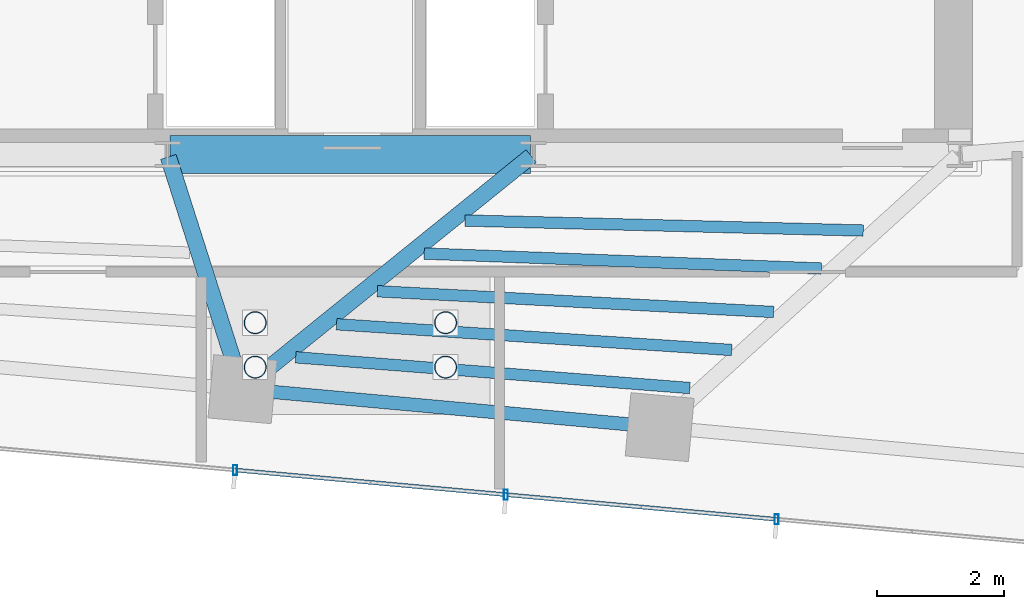
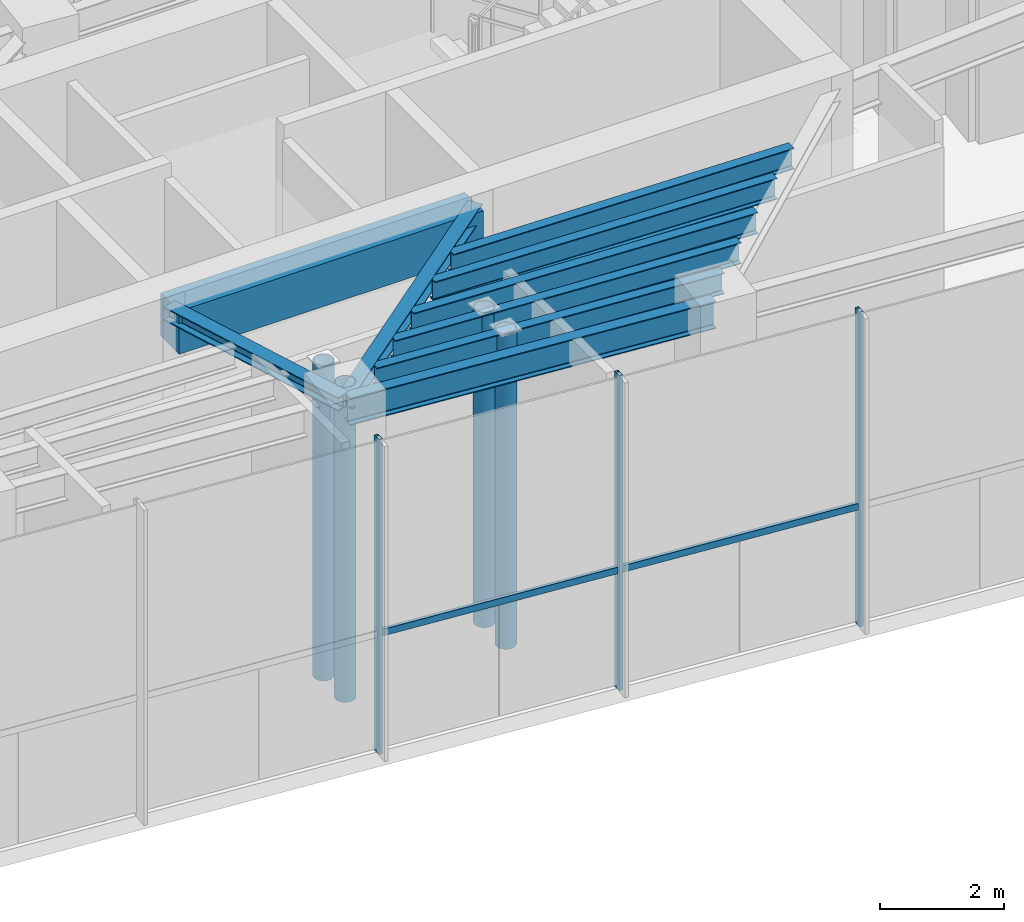
# One storey, part 6 of 14: 9 beams, 9 members, 1 element without a shape of its own.
"""IFC4 building model written with IfcOpenShell, lengths in metres."""

from ifc_helpers import new_model, si_unit, direction, frame, origin, origin_2d, place, context, subcontext, project, spatial, rectangle, hollow_rectangle, hollow_circle, i_section, extrude, source, transform, mapped, material, material_profile, profile_set, type_object, type_shapes, element, aggregate, save


model = new_model("IFC4")

# Units and contexts
model_context = context("Model", 3, precision=1e-05, world=origin(), true_north=direction((0.0, 1.0)))
body_context = subcontext(model_context, "Body", "Model", "MODEL_VIEW")
ifc_project = project(units=[si_unit("LENGTHUNIT", "METRE"), si_unit("AREAUNIT", "SQUARE_METRE"), si_unit("VOLUMEUNIT", "CUBIC_METRE"), si_unit("PLANEANGLEUNIT", "RADIAN"), si_unit("MASSUNIT", "GRAM", prefix="KILO")], contexts=[model_context])

# Site, building, storey
site_placement = place(None, origin())
site = spatial("IfcSite", under=ifc_project, at=site_placement, CompositionType="ELEMENT")
building_placement = place(site_placement, origin())
building = spatial("IfcBuilding", under=site, at=building_placement, Name="Astriad Promenade Condominiums", CompositionType="ELEMENT")
storey_placement = place(building_placement, frame((0.0, 0.0, 270.800048828125)))
storey = spatial("IfcBuildingStorey", under=building, at=storey_placement, Name="L77", CompositionType="ELEMENT", Elevation=270.800048828125)

# Beams
ifc_material_1 = material(Name="Concrete C60/75", Category="concrete")
ifc_material_profile_1 = material_profile(ifc_material_1, rectangle(XDim=0.60009765625, YDim=0.85009765625, at=origin_2d()), Name="RC-BM-600X850")
ifc_profile_set_1 = profile_set([ifc_material_profile_1], Name="Concrete C60/75")
beam_type_1 = type_object("IfcBeamType", Name="CONCRETE CORE COUPLING LINTEL 600X850", PredefinedType="LINTEL", material=ifc_profile_set_1)
shared_shape_1 = source(origin(), body_context, "Body", "SweptSolid", [
    extrude(rectangle(XDim=0.60009765625, YDim=0.85009765625, at=origin_2d()), origin(), (0.0, 0.0, 1.0), 5.68017578125),
])
type_shapes(beam_type_1, [shared_shape_1])
beam_1_placement = place(storey_placement, frame((33.159912109375, 17.39990234375, 5.794921875), z_axis=(1.0, 0.0, 0.0), x_axis=(0.0, 1.0, 0.0)))
element("IfcBeam", 1, at=beam_1_placement, inside=storey, type_object=beam_type_1, Name="Core Ring Beam CG-S2-L77", PredefinedType="LINTEL", context=body_context, shape_type="MappedRepresentation", body=[
    mapped(shared_shape_1, transform((0.0, 0.0, 0.0), scale=1.0)),
])
ifc_material_2 = material(Name="Steel ASTM A992 Grade 50", Category="steel")
ifc_material_profile_2 = material_profile(ifc_material_2, i_section(OverallWidth=0.210693359375, OverallDepth=0.53955078125, WebThickness=0.01171875, FlangeThickness=0.018798828125, FilletRadius=0.0166015625, at=origin_2d()), Name="W21X73")
ifc_profile_set_2 = profile_set([ifc_material_profile_2], Name="Steel ASTM A992 Grade 50")
beam_type_2 = type_object("IfcBeamType", Name="STEEL SPANDREL BEAM W21X73", PredefinedType="SPANDREL", material=ifc_profile_set_2)
shared_shape_2 = source(origin(), body_context, "Body", "SweptSolid", [
    extrude(i_section(OverallWidth=0.210693359375, OverallDepth=0.53955078125, WebThickness=0.01171875, FlangeThickness=0.018798828125, FilletRadius=0.0166015625, at=origin_2d()), origin(), (0.0, 0.0, 1.0), 6.52001953125),
])
type_shapes(beam_type_2, [shared_shape_2])
beam_2_placement = place(storey_placement, frame((34.339599609375, 13.69921875, 5.9501953125), z_axis=(0.995882457091, -0.090653911438, 0.0), x_axis=(0.090653911438, 0.995882457091, 0.0)))
element("IfcBeam", 2, at=beam_2_placement, inside=storey, type_object=beam_type_2, Name="Perimeter Spandrel Beam SP-S3-L77", PredefinedType="SPANDREL", context=body_context, shape_type="MappedRepresentation", body=[
    mapped(shared_shape_2, transform((0.0, 0.0, 0.0), scale=1.0)),
])
ifc_material_profile_3 = material_profile(ifc_material_2, i_section(OverallWidth=0.25732421875, OverallDepth=0.26416015625, WebThickness=0.011962890625, FlangeThickness=0.01953125, FilletRadius=0.0126953125, at=origin_2d()), Name="W10X68")
ifc_profile_set_3 = profile_set([ifc_material_profile_3], Name="Steel ASTM A992 Grade 50")
beam_type_3 = type_object("IfcBeamType", Name="STEEL CANOPY BEAM W10X68", PredefinedType="BEAM", material=ifc_profile_set_3)
shared_shape_3 = source(origin(), body_context, "Body", "SweptSolid", [
    extrude(i_section(OverallWidth=0.25732421875, OverallDepth=0.26416015625, WebThickness=0.011962890625, FlangeThickness=0.01953125, FilletRadius=0.0126953125, at=origin_2d()), origin(), (0.0, 0.0, 1.0), 3.801025390625),
])
beam_3_placement = place(storey_placement, frame((34.28759765625, 13.74072265625, 6.087890625), z_axis=(-0.304004205404, 0.952670689744, 0.0), x_axis=(-0.952670689744, -0.304004205404, 0.0)))
element("IfcBeam", 3, at=beam_3_placement, inside=storey, type_object=beam_type_3, Name="Primary Floor Girder PG-C1-L77", PredefinedType="BEAM", context=body_context, shape_type="MappedRepresentation", body=[
    mapped(shared_shape_3, transform((0.0, 0.0, 0.0), scale=1.0)),
])
shared_shape_4 = source(origin(), body_context, "Body", "SweptSolid", [
    extrude(i_section(OverallWidth=0.25732421875, OverallDepth=0.26416015625, WebThickness=0.011962890625, FlangeThickness=0.01953125, FilletRadius=0.0126953125, at=origin_2d()), origin(), (0.0, 0.0, 1.0), 5.806396484375),
])
type_shapes(beam_type_3, [shared_shape_3, shared_shape_4])
beam_4_placement = place(storey_placement, frame((34.330810546875, 13.727783203125, 6.087890625), z_axis=(0.77810873544, 0.628129601143, 0.0), x_axis=(-0.628129601143, 0.77810873544, 0.0)))
element("IfcBeam", 4, at=beam_4_placement, inside=storey, type_object=beam_type_3, Name="Primary Floor Girder PG-C2-L77", PredefinedType="BEAM", context=body_context, shape_type="MappedRepresentation", body=[
    mapped(shared_shape_4, transform((0.0, 0.0, 0.0), scale=1.0)),
])
ifc_material_profile_4 = material_profile(ifc_material_2, i_section(OverallWidth=0.180908203125, OverallDepth=0.417236328125, WebThickness=0.010986328125, FlangeThickness=0.018310546875, FilletRadius=0.013916015625, at=origin_2d()), Name="W16X57")
ifc_profile_set_4 = profile_set([ifc_material_profile_4], Name="Steel ASTM A992 Grade 50")
beam_type_4 = type_object("IfcBeamType", Name="STEEL FLOOR JOIST W16X57", PredefinedType="JOIST", material=ifc_profile_set_4)
shared_shape_5 = source(origin(), body_context, "Body", "SweptSolid", [
    extrude(i_section(OverallWidth=0.180908203125, OverallDepth=0.417236328125, WebThickness=0.010986328125, FlangeThickness=0.018310546875, FilletRadius=0.013916015625, at=origin_2d()), origin(), (0.0, 0.0, 1.0), 6.229248046875),
])
beam_5_placement = place(storey_placement, frame((35.1376953125, 14.205078125, 6.01123046875), z_axis=(0.996969269926, -0.077796367671, 0.0), x_axis=(0.077796367671, 0.996969269926, 0.0)))
element("IfcBeam", 5, at=beam_5_placement, inside=storey, type_object=beam_type_4, Name="Secondary Composite Floor Joist JCE-1-L77", PredefinedType="JOIST", context=body_context, shape_type="MappedRepresentation", body=[
    mapped(shared_shape_5, transform((0.0, 0.0, 0.0), scale=1.0)),
])
shared_shape_6 = source(origin(), body_context, "Body", "SweptSolid", [
    extrude(i_section(OverallWidth=0.180908203125, OverallDepth=0.417236328125, WebThickness=0.010986328125, FlangeThickness=0.018310546875, FilletRadius=0.013916015625, at=origin_2d()), origin(), (0.0, 0.0, 1.0), 6.2392578125),
])
beam_6_placement = place(storey_placement, frame((35.78173828125, 14.72509765625, 6.01123046875), z_axis=(0.997885626564, -0.064994432818, 0.0), x_axis=(0.064994432818, 0.997885626564, 0.0)))
element("IfcBeam", 6, at=beam_6_placement, inside=storey, type_object=beam_type_4, Name="Secondary Composite Floor Joist JCE-2-L77", PredefinedType="JOIST", context=body_context, shape_type="MappedRepresentation", body=[
    mapped(shared_shape_6, transform((0.0, 0.0, 0.0), scale=1.0)),
])
shared_shape_7 = source(origin(), body_context, "Body", "SweptSolid", [
    extrude(i_section(OverallWidth=0.180908203125, OverallDepth=0.417236328125, WebThickness=0.010986328125, FlangeThickness=0.018310546875, FilletRadius=0.013916015625, at=origin_2d()), origin(), (0.0, 0.0, 1.0), 6.25),
])
beam_7_placement = place(storey_placement, frame((36.42578125, 15.2451171875, 6.01123046875), z_axis=(0.998635255149, -0.052226690246, 0.0), x_axis=(0.052226690246, 0.998635255149, 0.0)))
element("IfcBeam", 7, at=beam_7_placement, inside=storey, type_object=beam_type_4, Name="Secondary Composite Floor Joist JCE-3-L77", PredefinedType="JOIST", context=body_context, shape_type="MappedRepresentation", body=[
    mapped(shared_shape_7, transform((0.0, 0.0, 0.0), scale=1.0)),
])
shared_shape_8 = source(origin(), body_context, "Body", "SweptSolid", [
    extrude(i_section(OverallWidth=0.180908203125, OverallDepth=0.417236328125, WebThickness=0.010986328125, FlangeThickness=0.018310546875, FilletRadius=0.013916015625, at=origin_2d()), origin(), (0.0, 0.0, 1.0), 6.263427734375),
])
beam_8_placement = place(storey_placement, frame((37.161865234375, 15.83935546875, 6.01123046875), z_axis=(0.999289399614, -0.03769211879, 0.0), x_axis=(0.03769211879, 0.999289399614, 0.0)))
element("IfcBeam", 8, at=beam_8_placement, inside=storey, type_object=beam_type_4, Name="Secondary Composite Floor Joist JCE-4-L77", PredefinedType="JOIST", context=body_context, shape_type="MappedRepresentation", body=[
    mapped(shared_shape_8, transform((0.0, 0.0, 0.0), scale=1.0)),
])
shared_shape_9 = source(origin(), body_context, "Body", "SweptSolid", [
    extrude(i_section(OverallWidth=0.180908203125, OverallDepth=0.417236328125, WebThickness=0.010986328125, FlangeThickness=0.018310546875, FilletRadius=0.013916015625, at=origin_2d()), origin(), (0.0, 0.0, 1.0), 6.27587890625),
])
type_shapes(beam_type_4, [shared_shape_5, shared_shape_6, shared_shape_7, shared_shape_8, shared_shape_9])
beam_9_placement = place(storey_placement, frame((37.80615234375, 16.359619140625, 6.01123046875), z_axis=(0.999685163085, -0.025091327348, 0.0), x_axis=(0.025091327348, 0.999685163085, 0.0)))
element("IfcBeam", 9, at=beam_9_placement, inside=storey, type_object=beam_type_4, Name="Secondary Composite Floor Joist JCE-5-L77", PredefinedType="JOIST", context=body_context, shape_type="MappedRepresentation", body=[
    mapped(shared_shape_9, transform((0.0, 0.0, 0.0), scale=1.0)),
])

# Members
ifc_material_3 = material(Name="Steel ASTM A500 Grade C", Category="steel")
ifc_material_profile_5 = material_profile(ifc_material_3, hollow_circle(Radius=0.177734375, WallThickness=0.014892578125, at=origin_2d()), Name="HSS355.6X15.9")
ifc_profile_set_5 = profile_set([ifc_material_profile_5], Name="Steel ASTM A500 Grade C")
member_type_1 = type_object("IfcMemberType", Name="HSS PENDULUM HANGER STRUT D356", PredefinedType="STRUT", material=ifc_profile_set_5)
shared_shape_10 = source(origin(), body_context, "Body", "SweptSolid", [
    extrude(hollow_circle(Radius=0.177734375, WallThickness=0.014892578125, at=origin_2d()), origin(), (0.0, 0.0, 1.0), 6.219970703125),
])
type_shapes(member_type_1, [shared_shape_10])
for number, where, z_axis, x_axis, name in (
    (10, (34.5, 14.050048828125, 0.0), (0.0, 0.0, 1.0), (1.0, 0.0, 0.0), "Pendulum Damper Hanger Strut STRUT-PEND-01"),
    (11, (37.5, 14.050048828125, 0.0), (0.0, 0.0, 1.0), (1.0, 0.0, 0.0), "Pendulum Damper Hanger Strut STRUT-PEND-02"),
    (12, (37.5, 14.75, 0.0), (0.0, 0.0, 1.0), (1.0, 0.0, 0.0), "Pendulum Damper Hanger Strut STRUT-PEND-03"),
    (13, (34.5, 14.75, 0.0), (0.0, 0.0, 1.0), (1.0, 0.0, 0.0), "Pendulum Damper Hanger Strut STRUT-PEND-04"),
):
    element("IfcMember", number, at=place(storey_placement, frame(where, z_axis=z_axis, x_axis=x_axis)), inside=storey, type_object=member_type_1, Name=name, PredefinedType="STRUT", context=body_context, shape_type="MappedRepresentation", body=[
        mapped(shared_shape_10, transform((0.0, 0.0, 0.0), scale=1.0)),
    ])

# Curtain wall, members
ifc_material_4 = material(Name="Anodised aluminium Black Dark Glass Unitised", Category="aluminium")
curtain_wall_type = type_object("IfcCurtainWallType", Name="CW-TMD-LANTERN", PredefinedType="USERDEFINED", material=ifc_material_4)
curtain_wall_placement = place(storey_placement, origin())
curtain_wall = element("IfcCurtainWall", 14, at=curtain_wall_placement, inside=storey, type_object=curtain_wall_type, Name="CW-LNT-L77-18-1", ObjectType="UNITISED_CURTAIN_WALL", PredefinedType="USERDEFINED")
ifc_material_5 = material(Name="Anodised aluminium 6063-T6 Black", Category="aluminium")
ifc_material_profile_6 = material_profile(ifc_material_5, hollow_rectangle(XDim=0.06494140625, YDim=0.1298828125, WallThickness=0.00390625, at=origin_2d()), Name="ALU-TRN-65X130")
ifc_profile_set_6 = profile_set([ifc_material_profile_6], Name="Anodised aluminium 6063-T6 Black")
member_type_2 = type_object("IfcMemberType", Name="TRN-ALU-TRN-65X130", PredefinedType="USERDEFINED", material=ifc_profile_set_6)
shared_shape_11 = source(origin(), body_context, "Body", "SweptSolid", [
    extrude(hollow_rectangle(XDim=0.06494140625, YDim=0.1298828125, WallThickness=0.00390625, at=origin_2d()), origin(), (0.0, 0.0, 1.0), 4.283203125),
])
member_1_placement = place(storey_placement, frame((42.715087890625, 11.651611328125, 2.349853515625), z_axis=(-0.995884792497, 0.090628252065, 0.0), x_axis=(-0.090628252065, -0.995884792497, 0.0)))
member_1 = element("IfcMember", 15, at=member_1_placement, type_object=member_type_2, Name="CW-LNT-L77-18-1-TRN-01-0", ObjectType="TRANSOM", PredefinedType="USERDEFINED", context=body_context, shape_type="MappedRepresentation", body=[
    mapped(shared_shape_11, transform((0.0, 0.0, 0.0), scale=1.0)),
])
shared_shape_12 = source(origin(), body_context, "Body", "SweptSolid", [
    extrude(hollow_rectangle(XDim=0.06494140625, YDim=0.1298828125, WallThickness=0.00390625, at=origin_2d()), origin(), (0.0, 0.0, 1.0), 4.283447265625),
])
type_shapes(member_type_2, [shared_shape_11, shared_shape_12])
member_2_placement = place(storey_placement, frame((38.449462890625, 12.039794921875, 2.349853515625), z_axis=(-0.995885260617, 0.090623107903, 0.0), x_axis=(-0.090623107903, -0.995885260617, 0.0)))
member_2 = element("IfcMember", 16, at=member_2_placement, type_object=member_type_2, Name="CW-LNT-L77-18-1-TRN-02-0", ObjectType="TRANSOM", PredefinedType="USERDEFINED", context=body_context, shape_type="MappedRepresentation", body=[
    mapped(shared_shape_12, transform((0.0, 0.0, 0.0), scale=1.0)),
])
ifc_material_profile_7 = material_profile(ifc_material_5, hollow_rectangle(XDim=0.06494140625, YDim=0.159912109375, WallThickness=0.00390625, at=origin_2d()), Name="ALU-MUL-65X160")
ifc_profile_set_7 = profile_set([ifc_material_profile_7], Name="Anodised aluminium 6063-T6 Black")
member_type_3 = type_object("IfcMemberType", Name="MUL-ALU-MUL-65X160", PredefinedType="MULLION", material=ifc_profile_set_7)
shared_shape_13 = source(origin(), body_context, "Body", "SweptSolid", [
    extrude(hollow_rectangle(XDim=0.06494140625, YDim=0.159912109375, WallThickness=0.00390625, at=origin_2d()), origin(), (0.0, 0.0, 1.0), 6.219970703125),
])
type_shapes(member_type_3, [shared_shape_13])
member_3_placement = place(storey_placement, frame((42.715087890625, 11.651611328125, 0.0), z_axis=(0.0, 0.0, 1.0), x_axis=(1.0, 0.0, 0.0)))
member_3 = element("IfcMember", 17, at=member_3_placement, type_object=member_type_3, Name="CW-LNT-L77-18-1-MUL-01", PredefinedType="MULLION", context=body_context, shape_type="MappedRepresentation", body=[
    mapped(shared_shape_13, transform((0.0, 0.0, 0.0), scale=1.0)),
])
member_4_placement = place(storey_placement, frame((38.449462890625, 12.039794921875, 0.0), z_axis=(0.0, 0.0, 1.0), x_axis=(1.0, 0.0, 0.0)))
member_4 = element("IfcMember", 18, at=member_4_placement, type_object=member_type_3, Name="CW-LNT-L77-18-1-MUL-02", PredefinedType="MULLION", context=body_context, shape_type="MappedRepresentation", body=[
    mapped(shared_shape_13, transform((0.0, 0.0, 0.0), scale=1.0)),
])
member_5_placement = place(storey_placement, frame((34.18359375, 12.427978515625, 0.0), z_axis=(0.0, 0.0, 1.0), x_axis=(1.0, 0.0, 0.0)))
member_5 = element("IfcMember", 19, at=member_5_placement, type_object=member_type_3, Name="CW-LNT-L77-18-1-MUL-03", PredefinedType="MULLION", context=body_context, shape_type="MappedRepresentation", body=[
    mapped(shared_shape_13, transform((0.0, 0.0, 0.0), scale=1.0)),
])
aggregate(curtain_wall, [member_3, member_4, member_5, member_1, member_2])

save(model, "model.ifc")
